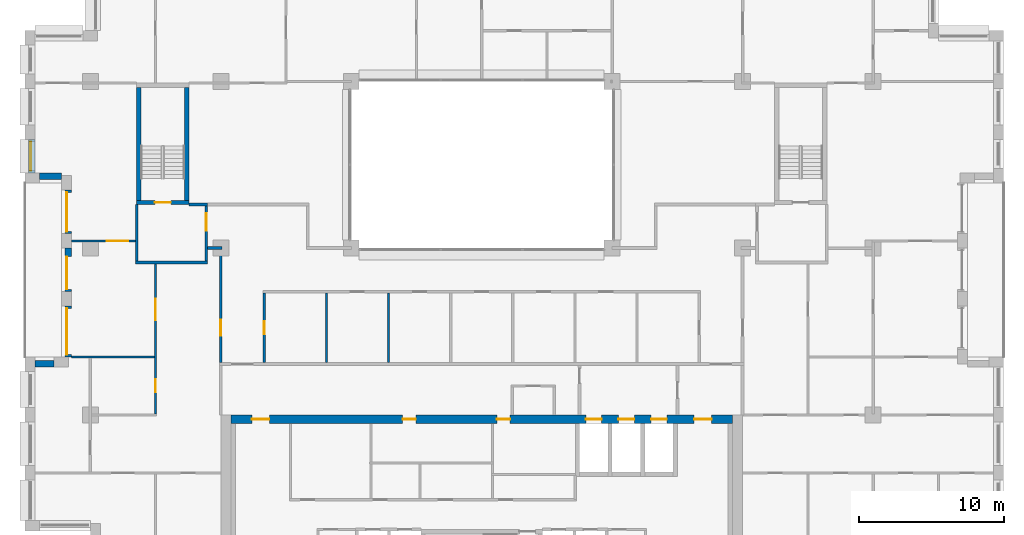
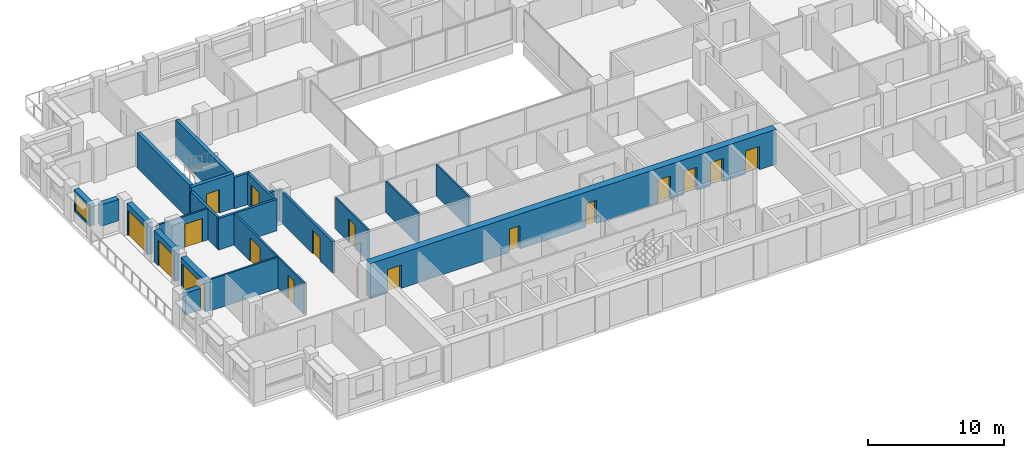
# One storey, part 9 of 15: 22 walls, 17 doors, 1 window, 18 openings.
"""IFC4 building model written with IfcOpenShell, lengths in metres."""

from ifc_helpers import new_model, si_unit, direction, frame, frame_2d, origin, place, context, subcontext, project, spatial, rectangle, extrude, material, layer, layer_set, type_object, element, fill, save


model = new_model("IFC4")

# Units and contexts
model_context = context("Model", 3, precision=1e-05, world=origin(), true_north=direction((0.0, 1.0)))
body_context = subcontext(model_context, "Body", "Model", "MODEL_VIEW")
ifc_project = project(units=[si_unit("LENGTHUNIT", "METRE"), si_unit("AREAUNIT", "SQUARE_METRE"), si_unit("VOLUMEUNIT", "CUBIC_METRE"), si_unit("PLANEANGLEUNIT", "RADIAN"), si_unit("MASSUNIT", "GRAM", prefix="KILO")], contexts=[model_context])

# Site, building, storey
site_placement = place(None, origin())
site = spatial("IfcSite", under=ifc_project, at=site_placement, CompositionType="ELEMENT")
building_placement = place(site_placement, origin())
building = spatial("IfcBuilding", under=site, at=building_placement, Name="Brigalow Station Residences", CompositionType="ELEMENT")
storey_placement = place(building_placement, frame((0.0, 0.0, 175.949951171875)))
storey = spatial("IfcBuildingStorey", under=building, at=storey_placement, Name="L51", CompositionType="ELEMENT", Elevation=175.949951171875)

# Wall, opening, window
ifc_material_1 = material(Name="Clay brick masonry", Category="masonry")
ifc_layer_1 = layer(ifc_material_1, 0.449951171875)
ifc_layer_set_1 = layer_set([ifc_layer_1], Name="BRICK INFILL WALL 450")
wall_type_1 = type_object("IfcWallType", Name="BRICK INFILL WALL 450", PredefinedType="SOLIDWALL", material=ifc_layer_set_1)
wall_1_placement = place(storey_placement, frame((4.97509765625, 31.5, 0.900146484375), z_axis=(0.0, 0.0, 1.0), x_axis=(0.0, -1.0, 0.0)))
wall_1 = element("IfcWall", 1, at=wall_1_placement, inside=storey, type_object=wall_type_1, Name="L51/ewall/W-L51-39", PredefinedType="SOLIDWALL", context=body_context, shape_type="SweptSolid", body=[
    extrude(rectangle(XDim=2.300048828125, YDim=0.449951171875, at=frame_2d((1.14990234375, 0.0))), origin(), (0.0, 0.0, 1.0), 1.929931640625),
])
opening_1_placement = place(wall_1_placement, frame((0.14990234375, 0.0, 0.14990234375)))
opening_1 = element("IfcOpeningElement", 2, at=opening_1_placement, cuts=wall_1, Name="Opening WT-7", PredefinedType="OPENING", context=body_context, shape_type="SweptSolid", body=[
    extrude(rectangle(XDim=2.0, YDim=1.5, at=frame_2d((1.0, 0.75))), frame((0.0, 0.23486328125, 0.0), z_axis=(0.0, -1.0, 0.0), x_axis=(1.0, 0.0, 0.0)), (0.0, 0.0, 1.0), 0.469970703125),
])
ifc_material_2 = material(Name="Anodised aluminium frame with double glazing", Category="aluminium")
window_type = type_object("IfcWindowType", Name="WINDOW 2000x1500", PartitioningType="SINGLE_PANEL", PredefinedType="WINDOW", material=ifc_material_2)
window_placement = place(opening_1_placement, origin())
window = element("IfcWindow", 3, at=window_placement, inside=storey, type_object=window_type, Name="L51/window/W-L51-39", OverallHeight=1.5, OverallWidth=2.0, PartitioningType="SINGLE_PANEL", PredefinedType="WINDOW", context=body_context, shape_type="SweptSolid", body=[
    extrude(rectangle(XDim=2.0, YDim=1.5, at=frame_2d((1.0, 0.75))), frame((0.0, -0.06494140625, 0.0), z_axis=(0.0, -1.0, 0.0), x_axis=(1.0, 0.0, 0.0)), (0.0, 0.0, 1.0), 0.06005859375),
])
fill(opening_1, window)

# Wall
wall_2_placement = place(storey_placement, frame((5.5, 28.97509765625, 0.900146484375), z_axis=(0.0, 0.0, 1.0), x_axis=(1.0, 0.0, 0.0)))
element("IfcWall", 4, at=wall_2_placement, inside=storey, type_object=wall_type_1, Name="L51/ewall/W-L51-40", PredefinedType="SOLIDWALL", context=body_context, shape_type="SweptSolid", body=[
    extrude(rectangle(XDim=1.5, YDim=0.449951171875, at=frame_2d((0.75, 0.0))), origin(), (0.0, 0.0, 1.0), 1.929931640625),
])

# Wall, opening, door
wall_3_placement = place(storey_placement, frame((7.47509765625, 28.0, 0.0), z_axis=(0.0, 0.0, 1.0), x_axis=(0.0, -1.0, 0.0)))
wall_3 = element("IfcWall", 5, at=wall_3_placement, inside=storey, type_object=wall_type_1, Name="L51/ewall/W-L51-41", PredefinedType="SOLIDWALL", context=body_context, shape_type="SweptSolid", body=[
    extrude(rectangle(XDim=3.0, YDim=0.449951171875, at=frame_2d((1.5, 0.0))), origin(), (0.0, 0.0, 1.0), 2.830078125),
])
opening_2_placement = place(wall_3_placement, frame((0.14990234375, 0.0, 0.0)))
opening_2 = element("IfcOpeningElement", 6, at=opening_2_placement, cuts=wall_3, Name="Opening D-B2700", PredefinedType="OPENING", context=body_context, shape_type="SweptSolid", body=[
    extrude(rectangle(XDim=2.699951171875, YDim=2.300048828125, at=frame_2d((1.35009765625, 1.14990234375))), frame((0.0, 0.23486328125, 0.0), z_axis=(0.0, -1.0, 0.0), x_axis=(1.0, 0.0, 0.0)), (0.0, 0.0, 1.0), 0.469970703125),
])
ifc_material_3 = material(Name="Anodised aluminium frame with double glazing", Category="aluminium")
door_type_1 = type_object("IfcDoorType", Name="BALCONY SLIDING DOOR 2700x2300", OperationType="SLIDING_TO_LEFT", PredefinedType="DOOR", material=ifc_material_3)
door_1_placement = place(opening_2_placement, origin())
door_1 = element("IfcDoor", 7, at=door_1_placement, inside=storey, type_object=door_type_1, Name="L51/balcony-door/W-L51-41", OperationType="SLIDING_TO_LEFT", OverallHeight=2.300048828125, OverallWidth=2.699951171875, PredefinedType="DOOR", context=body_context, shape_type="SweptSolid", body=[
    extrude(rectangle(XDim=2.699951171875, YDim=2.300048828125, at=frame_2d((1.35009765625, 1.14990234375))), frame((0.0, -0.06982421875, 0.0), z_axis=(0.0, -1.0, 0.0), x_axis=(1.0, 0.0, 0.0)), (0.0, 0.0, 1.0), 0.050048828125),
])
fill(opening_2, door_1)

wall_4_placement = place(storey_placement, frame((7.47509765625, 24.0, 0.0), z_axis=(0.0, 0.0, 1.0), x_axis=(0.0, -1.0, 0.0)))
wall_4 = element("IfcWall", 8, at=wall_4_placement, inside=storey, type_object=wall_type_1, Name="L51/ewall/W-L51-42", PredefinedType="SOLIDWALL", context=body_context, shape_type="SweptSolid", body=[
    extrude(rectangle(XDim=3.0, YDim=0.449951171875, at=frame_2d((1.5, 0.0))), origin(), (0.0, 0.0, 1.0), 2.830078125),
])
opening_3_placement = place(wall_4_placement, frame((0.5849609375, 0.0, 0.0)))
opening_3 = element("IfcOpeningElement", 9, at=opening_3_placement, cuts=wall_4, Name="Opening D-B2250", PredefinedType="OPENING", context=body_context, shape_type="SweptSolid", body=[
    extrude(rectangle(XDim=2.25, YDim=2.300048828125, at=frame_2d((1.125, 1.14990234375))), frame((0.0, 0.23486328125, 0.0), z_axis=(0.0, -1.0, 0.0), x_axis=(1.0, 0.0, 0.0)), (0.0, 0.0, 1.0), 0.469970703125),
])
ifc_material_4 = material(Name="Anodised aluminium frame with double glazing", Category="aluminium")
door_type_2 = type_object("IfcDoorType", Name="BALCONY SLIDING DOOR 2250x2300", OperationType="SLIDING_TO_LEFT", PredefinedType="DOOR", material=ifc_material_4)
door_2_placement = place(opening_3_placement, origin())
door_2 = element("IfcDoor", 10, at=door_2_placement, inside=storey, type_object=door_type_2, Name="L51/balcony-door/W-L51-42", OperationType="SLIDING_TO_LEFT", OverallHeight=2.300048828125, OverallWidth=2.25, PredefinedType="DOOR", context=body_context, shape_type="SweptSolid", body=[
    extrude(rectangle(XDim=2.25, YDim=2.300048828125, at=frame_2d((1.125, 1.14990234375))), frame((0.0, -0.06982421875, 0.0), z_axis=(0.0, -1.0, 0.0), x_axis=(1.0, 0.0, 0.0)), (0.0, 0.0, 1.0), 0.050048828125),
])
fill(opening_3, door_2)

wall_5_placement = place(storey_placement, frame((7.47509765625, 20.0, 0.0), z_axis=(0.0, 0.0, 1.0), x_axis=(0.0, -1.0, 0.0)))
wall_5 = element("IfcWall", 11, at=wall_5_placement, inside=storey, type_object=wall_type_1, Name="L51/ewall/W-L51-43", PredefinedType="SOLIDWALL", context=body_context, shape_type="SweptSolid", body=[
    extrude(rectangle(XDim=3.5, YDim=0.449951171875, at=frame_2d((1.75, 0.0))), origin(), (0.0, 0.0, 1.0), 2.830078125),
])
opening_4_placement = place(wall_5_placement, frame((0.14990234375, 0.0, 0.0)))
opening_4 = element("IfcOpeningElement", 12, at=opening_4_placement, cuts=wall_5, Name="Opening D-B3200", PredefinedType="OPENING", context=body_context, shape_type="SweptSolid", body=[
    extrude(rectangle(XDim=3.199951171875, YDim=2.300048828125, at=frame_2d((1.60009765625, 1.14990234375))), frame((0.0, 0.23486328125, 0.0), z_axis=(0.0, -1.0, 0.0), x_axis=(1.0, 0.0, 0.0)), (0.0, 0.0, 1.0), 0.469970703125),
])
ifc_material_5 = material(Name="Anodised aluminium frame with double glazing", Category="aluminium")
door_type_3 = type_object("IfcDoorType", Name="BALCONY SLIDING DOOR 3200x2300", OperationType="SLIDING_TO_LEFT", PredefinedType="DOOR", material=ifc_material_5)
door_3_placement = place(opening_4_placement, origin())
door_3 = element("IfcDoor", 13, at=door_3_placement, inside=storey, type_object=door_type_3, Name="L51/balcony-door/W-L51-43", OperationType="SLIDING_TO_LEFT", OverallHeight=2.300048828125, OverallWidth=3.199951171875, PredefinedType="DOOR", context=body_context, shape_type="SweptSolid", body=[
    extrude(rectangle(XDim=3.199951171875, YDim=2.300048828125, at=frame_2d((1.60009765625, 1.14990234375))), frame((0.0, -0.06982421875, 0.0), z_axis=(0.0, -1.0, 0.0), x_axis=(1.0, 0.0, 0.0)), (0.0, 0.0, 1.0), 0.050048828125),
])
fill(opening_4, door_3)

# Wall
wall_6_placement = place(storey_placement, frame((6.5, 16.02490234375, 0.900146484375), z_axis=(0.0, 0.0, 1.0), x_axis=(-1.0, 0.0, 0.0)))
element("IfcWall", 14, at=wall_6_placement, inside=storey, type_object=wall_type_1, Name="L51/ewall/W-L51-44", PredefinedType="SOLIDWALL", context=body_context, shape_type="SweptSolid", body=[
    extrude(rectangle(XDim=1.300048828125, YDim=0.449951171875, at=frame_2d((0.64990234375, 0.0))), origin(), (0.0, 0.0, 1.0), 1.929931640625),
])

# Wall, opening, door
ifc_material_6 = material(Name="Concrete C65", Category="concrete")
ifc_layer_2 = layer(ifc_material_6, 0.300048828125)
ifc_layer_set_2 = layer_set([ifc_layer_2], Name="CORE SHEAR WALL 300 C65")
wall_type_2 = type_object("IfcWallType", Name="CORE SHEAR WALL 300 C65", PredefinedType="SHEAR", material=ifc_layer_set_2)
wall_7_placement = place(storey_placement, frame((12.199951171875, 27.14990234375, 0.0), z_axis=(0.0, 0.0, 1.0), x_axis=(1.0, 0.0, 0.0)))
wall_7 = element("IfcWall", 15, at=wall_7_placement, inside=storey, type_object=wall_type_2, Name="CORE WALL ST-S1-S L51", PredefinedType="SHEAR", context=body_context, shape_type="SweptSolid", body=[
    extrude(rectangle(XDim=3.60009765625, YDim=0.300048828125, at=frame_2d((1.800048828125, 0.0))), origin(), (0.0, 0.0, 1.0), 3.150146484375),
])
opening_5_placement = place(wall_7_placement, frame((1.25, 0.0, 0.0)))
opening_5 = element("IfcOpeningElement", 16, at=opening_5_placement, cuts=wall_7, Name="Opening D-5015", PredefinedType="OPENING", context=body_context, shape_type="SweptSolid", body=[
    extrude(rectangle(XDim=1.10009765625, YDim=2.10009765625, at=frame_2d((0.550048828125, 1.050048828125))), frame((0.0, 0.16015625, 0.0), z_axis=(0.0, -1.0, 0.0), x_axis=(1.0, 0.0, 0.0)), (0.0, 0.0, 1.0), 0.320068359375),
])
ifc_material_7 = material(Name="Steel fire door leaf in steel frame", Category="steel")
door_type_4 = type_object("IfcDoorType", Name="STAIR DOOR 1100 x 2100 FD60S", OperationType="SINGLE_SWING_LEFT", PredefinedType="DOOR", material=ifc_material_7)
door_4_placement = place(opening_5_placement, origin())
door_4 = element("IfcDoor", 17, at=door_4_placement, inside=storey, type_object=door_type_4, Name="D-5015", OperationType="SINGLE_SWING_LEFT", OverallHeight=2.10009765625, OverallWidth=1.10009765625, PredefinedType="DOOR", context=body_context, shape_type="SweptSolid", body=[
    extrude(rectangle(XDim=1.10009765625, YDim=2.10009765625, at=frame_2d((0.550048828125, 1.050048828125))), frame((0.0, 0.02490234375, 0.0), z_axis=(0.0, -1.0, 0.0), x_axis=(1.0, 0.0, 0.0)), (0.0, 0.0, 1.0), 0.050048828125),
])
fill(opening_5, door_4)

# Walls
for number, where, z_axis, x_axis, name in (
    (18, (12.35009765625, 27.300048828125, 0.0), (0.0, 0.0, 1.0), (0.0, 1.0, 0.0), "CORE WALL ST-S1-W L51"),
    (19, (15.64990234375, 27.300048828125, 0.0), (0.0, 0.0, 1.0), (0.0, 1.0, 0.0), "CORE WALL ST-S1-E L51"),
):
    element("IfcWall", number, at=place(storey_placement, frame(where, z_axis=z_axis, x_axis=x_axis)), inside=storey, type_object=wall_type_2, Name=name, PredefinedType="SHEAR", context=body_context, shape_type="SweptSolid", body=[
        extrude(rectangle(XDim=7.800048828125, YDim=0.300048828125, at=frame_2d((3.89990234375, 0.0))), origin(), (0.0, 0.0, 1.0), 3.150146484375),
    ])

# Wall, openings, doors
ifc_material_8 = material(Name="Concrete C65", Category="concrete")
ifc_layer_3 = layer(ifc_material_8, 0.60009765625)
ifc_layer_set_3 = layer_set([ifc_layer_3], Name="CORE SHEAR WALL 600 C65")
wall_type_3 = type_object("IfcWallType", Name="CORE SHEAR WALL 600 C65", PredefinedType="SHEAR", material=ifc_layer_set_3)
wall_8_placement = place(storey_placement, frame((18.699951171875, 12.199951171875, 0.0), z_axis=(0.0, 0.0, 1.0), x_axis=(1.0, 0.0, 0.0)))
wall_8 = element("IfcWall", 20, at=wall_8_placement, inside=storey, type_object=wall_type_3, Name="CORE WALL OUT-N L51", PredefinedType="SHEAR", context=body_context, shape_type="SweptSolid", body=[
    extrude(rectangle(XDim=34.60009765625, YDim=0.60009765625, at=frame_2d((17.300048828125, 0.0))), origin(), (0.0, 0.0, 1.0), 3.150146484375),
])
opening_6_placement = place(wall_8_placement, frame((24.47509765625, 0.0, 0.0)))
opening_6 = element("IfcOpeningElement", 21, at=opening_6_placement, cuts=wall_8, Name="Opening LD-LF1", PredefinedType="OPENING", context=body_context, shape_type="SweptSolid", body=[
    extrude(rectangle(XDim=1.10009765625, YDim=2.10009765625, at=frame_2d((0.550048828125, 1.050048828125))), frame((0.0, 0.31005859375, 0.0), z_axis=(0.0, -1.0, 0.0), x_axis=(1.0, 0.0, 0.0)), (0.0, 0.0, 1.0), 0.6201171875),
])
opening_7_placement = place(wall_8_placement, frame((26.72509765625, 0.0, 0.0)))
opening_7 = element("IfcOpeningElement", 22, at=opening_7_placement, cuts=wall_8, Name="Opening LD-LF2", PredefinedType="OPENING", context=body_context, shape_type="SweptSolid", body=[
    extrude(rectangle(XDim=1.10009765625, YDim=2.10009765625, at=frame_2d((0.550048828125, 1.050048828125))), frame((0.0, 0.31005859375, 0.0), z_axis=(0.0, -1.0, 0.0), x_axis=(1.0, 0.0, 0.0)), (0.0, 0.0, 1.0), 0.6201171875),
])
opening_8_placement = place(wall_8_placement, frame((28.97509765625, 0.0, 0.0)))
opening_8 = element("IfcOpeningElement", 23, at=opening_8_placement, cuts=wall_8, Name="Opening LD-LG1", PredefinedType="OPENING", context=body_context, shape_type="SweptSolid", body=[
    extrude(rectangle(XDim=1.10009765625, YDim=2.10009765625, at=frame_2d((0.550048828125, 1.050048828125))), frame((0.0, 0.31005859375, 0.0), z_axis=(0.0, -1.0, 0.0), x_axis=(1.0, 0.0, 0.0)), (0.0, 0.0, 1.0), 0.6201171875),
])
opening_9_placement = place(wall_8_placement, frame((11.85009765625, 0.0, 0.0)))
opening_9 = element("IfcOpeningElement", 24, at=opening_9_placement, cuts=wall_8, Name="Opening D-5122", PredefinedType="OPENING", context=body_context, shape_type="SweptSolid", body=[
    extrude(rectangle(XDim=0.89990234375, YDim=2.10009765625, at=frame_2d((0.449951171875, 1.050048828125))), frame((0.0, 0.31005859375, 0.0), z_axis=(0.0, -1.0, 0.0), x_axis=(1.0, 0.0, 0.0)), (0.0, 0.0, 1.0), 0.6201171875),
])
opening_10_placement = place(wall_8_placement, frame((18.35009765625, 0.0, 0.0)))
opening_10 = element("IfcOpeningElement", 25, at=opening_10_placement, cuts=wall_8, Name="Opening D-5119", PredefinedType="OPENING", context=body_context, shape_type="SweptSolid", body=[
    extrude(rectangle(XDim=0.89990234375, YDim=2.10009765625, at=frame_2d((0.449951171875, 1.050048828125))), frame((0.0, 0.31005859375, 0.0), z_axis=(0.0, -1.0, 0.0), x_axis=(1.0, 0.0, 0.0)), (0.0, 0.0, 1.0), 0.6201171875),
])
opening_11_placement = place(wall_8_placement, frame((1.449951171875, 0.0, 0.0)))
opening_11 = element("IfcOpeningElement", 26, at=opening_11_placement, cuts=wall_8, Name="Opening D-5011", PredefinedType="OPENING", context=body_context, shape_type="SweptSolid", body=[
    extrude(rectangle(XDim=1.199951171875, YDim=2.10009765625, at=frame_2d((0.60009765625, 1.050048828125))), frame((0.0, 0.31005859375, 0.0), z_axis=(0.0, -1.0, 0.0), x_axis=(1.0, 0.0, 0.0)), (0.0, 0.0, 1.0), 0.6201171875),
])
opening_12_placement = place(wall_8_placement, frame((31.949951171875, 0.0, 0.0)))
opening_12 = element("IfcOpeningElement", 27, at=opening_12_placement, cuts=wall_8, Name="Opening D-5012", PredefinedType="OPENING", context=body_context, shape_type="SweptSolid", body=[
    extrude(rectangle(XDim=1.199951171875, YDim=2.10009765625, at=frame_2d((0.60009765625, 1.050048828125))), frame((0.0, 0.31005859375, 0.0), z_axis=(0.0, -1.0, 0.0), x_axis=(1.0, 0.0, 0.0)), (0.0, 0.0, 1.0), 0.6201171875),
])
ifc_material_9 = material(Name="Steel fire door leaf in steel frame", Category="steel")
door_type_5 = type_object("IfcDoorType", Name="CORE CORRIDOR DOOR 1200 x 2100 FD60S", OperationType="SINGLE_SWING_LEFT", PredefinedType="DOOR", material=ifc_material_9)
door_5_placement = place(opening_11_placement, frame((1.199951171875, 0.0, 0.0), z_axis=(0.0, 0.0, 1.0), x_axis=(-1.0, 0.0, 0.0)))
door_5 = element("IfcDoor", 28, at=door_5_placement, inside=storey, type_object=door_type_5, Name="D-5011", OperationType="SINGLE_SWING_LEFT", OverallHeight=2.10009765625, OverallWidth=1.199951171875, PredefinedType="DOOR", context=body_context, shape_type="SweptSolid", body=[
    extrude(rectangle(XDim=1.199951171875, YDim=2.10009765625, at=frame_2d((0.60009765625, 1.050048828125))), frame((0.0, 0.02490234375, 0.0), z_axis=(0.0, -1.0, 0.0), x_axis=(1.0, 0.0, 0.0)), (0.0, 0.0, 1.0), 0.050048828125),
])
fill(opening_11, door_5)
door_6_placement = place(opening_12_placement, frame((1.199951171875, 0.0, 0.0), z_axis=(0.0, 0.0, 1.0), x_axis=(-1.0, 0.0, 0.0)))
door_6 = element("IfcDoor", 29, at=door_6_placement, inside=storey, type_object=door_type_5, Name="D-5012", OperationType="SINGLE_SWING_LEFT", OverallHeight=2.10009765625, OverallWidth=1.199951171875, PredefinedType="DOOR", context=body_context, shape_type="SweptSolid", body=[
    extrude(rectangle(XDim=1.199951171875, YDim=2.10009765625, at=frame_2d((0.60009765625, 1.050048828125))), frame((0.0, 0.02490234375, 0.0), z_axis=(0.0, -1.0, 0.0), x_axis=(1.0, 0.0, 0.0)), (0.0, 0.0, 1.0), 0.050048828125),
])
fill(opening_12, door_6)
ifc_material_10 = material(Name="Stainless steel sliding door leaves", Category="steel")
door_type_6 = type_object("IfcDoorType", Name="LIFT LANDING DOOR 1100 x 2100", OperationType="DOUBLE_DOOR_SLIDING", PredefinedType="DOOR", material=ifc_material_10)
door_7_placement = place(opening_6_placement, origin())
door_7 = element("IfcDoor", 30, at=door_7_placement, inside=storey, type_object=door_type_6, Name="LANDING DOOR LF1", OperationType="DOUBLE_DOOR_SLIDING", OverallHeight=2.10009765625, OverallWidth=1.10009765625, PredefinedType="DOOR", context=body_context, shape_type="SweptSolid", body=[
    extrude(rectangle(XDim=1.10009765625, YDim=2.10009765625, at=frame_2d((0.550048828125, 1.050048828125))), frame((0.0, 0.02490234375, 0.0), z_axis=(0.0, -1.0, 0.0), x_axis=(1.0, 0.0, 0.0)), (0.0, 0.0, 1.0), 0.050048828125),
])
fill(opening_6, door_7)
door_8_placement = place(opening_7_placement, origin())
door_8 = element("IfcDoor", 31, at=door_8_placement, inside=storey, type_object=door_type_6, Name="LANDING DOOR LF2", OperationType="DOUBLE_DOOR_SLIDING", OverallHeight=2.10009765625, OverallWidth=1.10009765625, PredefinedType="DOOR", context=body_context, shape_type="SweptSolid", body=[
    extrude(rectangle(XDim=1.10009765625, YDim=2.10009765625, at=frame_2d((0.550048828125, 1.050048828125))), frame((0.0, 0.02490234375, 0.0), z_axis=(0.0, -1.0, 0.0), x_axis=(1.0, 0.0, 0.0)), (0.0, 0.0, 1.0), 0.050048828125),
])
fill(opening_7, door_8)
door_9_placement = place(opening_8_placement, origin())
door_9 = element("IfcDoor", 32, at=door_9_placement, inside=storey, type_object=door_type_6, Name="LANDING DOOR LG1", OperationType="DOUBLE_DOOR_SLIDING", OverallHeight=2.10009765625, OverallWidth=1.10009765625, PredefinedType="DOOR", context=body_context, shape_type="SweptSolid", body=[
    extrude(rectangle(XDim=1.10009765625, YDim=2.10009765625, at=frame_2d((0.550048828125, 1.050048828125))), frame((0.0, 0.02490234375, 0.0), z_axis=(0.0, -1.0, 0.0), x_axis=(1.0, 0.0, 0.0)), (0.0, 0.0, 1.0), 0.050048828125),
])
fill(opening_8, door_9)
ifc_material_11 = material(Name="Steel door leaf in steel frame", Category="steel")
door_type_7 = type_object("IfcDoorType", Name="SERVICE ROOM DOOR 900 x 2100 FD60", OperationType="SINGLE_SWING_LEFT", PredefinedType="DOOR", material=ifc_material_11)
door_10_placement = place(opening_9_placement, frame((0.89990234375, 0.0, 0.0), z_axis=(0.0, 0.0, 1.0), x_axis=(-1.0, 0.0, 0.0)))
door_10 = element("IfcDoor", 33, at=door_10_placement, inside=storey, type_object=door_type_7, Name="D-5122", OperationType="SINGLE_SWING_RIGHT", OverallHeight=2.10009765625, OverallWidth=0.89990234375, PredefinedType="DOOR", context=body_context, shape_type="SweptSolid", body=[
    extrude(rectangle(XDim=0.89990234375, YDim=2.10009765625, at=frame_2d((0.449951171875, 1.050048828125))), frame((0.0, 0.02490234375, 0.0), z_axis=(0.0, -1.0, 0.0), x_axis=(1.0, 0.0, 0.0)), (0.0, 0.0, 1.0), 0.050048828125),
])
fill(opening_9, door_10)
door_11_placement = place(opening_10_placement, frame((0.89990234375, 0.0, 0.0), z_axis=(0.0, 0.0, 1.0), x_axis=(-1.0, 0.0, 0.0)))
door_11 = element("IfcDoor", 34, at=door_11_placement, inside=storey, type_object=door_type_7, Name="D-5119", OperationType="SINGLE_SWING_RIGHT", OverallHeight=2.10009765625, OverallWidth=0.89990234375, PredefinedType="DOOR", context=body_context, shape_type="SweptSolid", body=[
    extrude(rectangle(XDim=0.89990234375, YDim=2.10009765625, at=frame_2d((0.449951171875, 1.050048828125))), frame((0.0, 0.02490234375, 0.0), z_axis=(0.0, -1.0, 0.0), x_axis=(1.0, 0.0, 0.0)), (0.0, 0.0, 1.0), 0.050048828125),
])
fill(opening_10, door_11)

# Walls
ifc_material_12 = material(Name="Concrete blockwork", Category="masonry")
ifc_layer_4 = layer(ifc_material_12, 0.199951171875)
ifc_layer_set_4 = layer_set([ifc_layer_4], Name="FIRE RATED CORE PARTITION 200")
wall_type_4 = type_object("IfcWallType", Name="FIRE RATED CORE PARTITION 200", PredefinedType="PARTITIONING", material=ifc_layer_set_4)
wall_9_placement = place(storey_placement, frame((12.10009765625, 23.0, 0.0), z_axis=(0.0, 0.0, 1.0), x_axis=(1.0, 0.0, 0.0)))
element("IfcWall", 35, at=wall_9_placement, inside=storey, type_object=wall_type_4, Name="PW-5023", PredefinedType="PARTITIONING", context=body_context, shape_type="SweptSolid", body=[
    extrude(rectangle(XDim=5.0, YDim=0.199951171875, at=frame_2d((2.5, 0.0))), origin(), (0.0, 0.0, 1.0), 2.830078125),
])
wall_10_placement = place(storey_placement, frame((15.800048828125, 27.0, 0.0), z_axis=(0.0, 0.0, 1.0), x_axis=(1.0, 0.0, 0.0)))
element("IfcWall", 36, at=wall_10_placement, inside=storey, type_object=wall_type_4, Name="PW-5025", PredefinedType="PARTITIONING", context=body_context, shape_type="SweptSolid", body=[
    extrude(rectangle(XDim=1.300048828125, YDim=0.199951171875, at=frame_2d((0.64990234375, 0.0))), origin(), (0.0, 0.0, 1.0), 2.830078125),
])
wall_11_placement = place(storey_placement, frame((12.199951171875, 23.10009765625, 0.0), z_axis=(0.0, 0.0, 1.0), x_axis=(0.0, 1.0, 0.0)))
element("IfcWall", 37, at=wall_11_placement, inside=storey, type_object=wall_type_4, Name="PW-5034", PredefinedType="PARTITIONING", context=body_context, shape_type="SweptSolid", body=[
    extrude(rectangle(XDim=3.89990234375, YDim=0.199951171875, at=frame_2d((1.949951171875, 0.0))), origin(), (0.0, 0.0, 1.0), 2.830078125),
])

# Wall, opening, door
wall_12_placement = place(storey_placement, frame((17.0, 23.10009765625, 0.0), z_axis=(0.0, 0.0, 1.0), x_axis=(0.0, 1.0, 0.0)))
wall_12 = element("IfcWall", 38, at=wall_12_placement, inside=storey, type_object=wall_type_4, Name="PW-5035", PredefinedType="PARTITIONING", context=body_context, shape_type="SweptSolid", body=[
    extrude(rectangle(XDim=3.7998046875, YDim=0.199951171875, at=frame_2d((1.89990234375, 0.0))), origin(), (0.0, 0.0, 1.0), 2.830078125),
])
opening_13_placement = place(wall_12_placement, frame((2.10009765625, 0.0, 0.0)))
opening_13 = element("IfcOpeningElement", 39, at=opening_13_placement, cuts=wall_12, Name="Opening D-5016", PredefinedType="OPENING", context=body_context, shape_type="SweptSolid", body=[
    extrude(rectangle(XDim=1.199951171875, YDim=2.10009765625, at=frame_2d((0.60009765625, 1.050048828125))), frame((0.0, 0.10986328125, 0.0), z_axis=(0.0, -1.0, 0.0), x_axis=(1.0, 0.0, 0.0)), (0.0, 0.0, 1.0), 0.219970703125),
])
ifc_material_13 = material(Name="Steel fire door leaf in steel frame", Category="steel")
door_type_8 = type_object("IfcDoorType", Name="STAIR LOBBY DOOR 1200 x 2100 FD60S", OperationType="SINGLE_SWING_LEFT", PredefinedType="DOOR", material=ifc_material_13)
door_12_placement = place(opening_13_placement, origin())
door_12 = element("IfcDoor", 40, at=door_12_placement, inside=storey, type_object=door_type_8, Name="D-5016", OperationType="SINGLE_SWING_RIGHT", OverallHeight=2.10009765625, OverallWidth=1.199951171875, PredefinedType="DOOR", context=body_context, shape_type="SweptSolid", body=[
    extrude(rectangle(XDim=1.199951171875, YDim=2.10009765625, at=frame_2d((0.60009765625, 1.050048828125))), frame((0.0, 0.02490234375, 0.0), z_axis=(0.0, -1.0, 0.0), x_axis=(1.0, 0.0, 0.0)), (0.0, 0.0, 1.0), 0.050048828125),
])
fill(opening_13, door_12)

# Wall
ifc_material_14 = material(Name="Plasterboard on steel stud partition", Category="steel")
ifc_layer_5 = layer(ifc_material_14, 0.14990234375)
ifc_layer_set_5 = layer_set([ifc_layer_5], Name="FLAT PARTITION 150")
wall_type_5 = type_object("IfcWallType", Name="FLAT PARTITION 150", PredefinedType="PARTITIONING", material=ifc_layer_set_5)
wall_13_placement = place(storey_placement, frame((7.699951171875, 16.5, 0.0), z_axis=(0.0, 0.0, 1.0), x_axis=(1.0, 0.0, 0.0)))
element("IfcWall", 41, at=wall_13_placement, inside=storey, type_object=wall_type_5, Name="PW-3E11", PredefinedType="PARTITIONING", context=body_context, shape_type="SweptSolid", body=[
    extrude(rectangle(XDim=5.72509765625, YDim=0.14990234375, at=frame_2d((2.862548828125, 0.0))), origin(), (0.0, 0.0, 1.0), 2.830078125),
])

# Wall, opening, door
wall_14_placement = place(storey_placement, frame((7.699951171875, 24.5, 0.0), z_axis=(0.0, 0.0, 1.0), x_axis=(1.0, 0.0, 0.0)))
wall_14 = element("IfcWall", 42, at=wall_14_placement, inside=storey, type_object=wall_type_5, Name="PW-3E15", PredefinedType="PARTITIONING", context=body_context, shape_type="SweptSolid", body=[
    extrude(rectangle(XDim=4.400146484375, YDim=0.14990234375, at=frame_2d((2.2001953125, 0.0))), origin(), (0.0, 0.0, 1.0), 2.830078125),
])
opening_14_placement = place(wall_14_placement, frame((2.425048828125, 0.0, 0.0)))
opening_14 = element("IfcOpeningElement", 43, at=opening_14_placement, cuts=wall_14, Name="Opening D-3E09", PredefinedType="OPENING", context=body_context, shape_type="SweptSolid", body=[
    extrude(rectangle(XDim=1.5, YDim=2.10009765625, at=frame_2d((0.75, 1.050048828125))), frame((0.0, 0.0849609375, 0.0), z_axis=(0.0, -1.0, 0.0), x_axis=(1.0, 0.0, 0.0)), (0.0, 0.0, 1.0), 0.169921875),
])
ifc_material_15 = material(Name="Solid-core timber door leaf", Category="wood")
door_type_9 = type_object("IfcDoorType", Name="INTERNAL DOUBLE DOOR 1500 x 2100", OperationType="DOUBLE_DOOR_SINGLE_SWING", PredefinedType="DOOR", material=ifc_material_15)
door_13_placement = place(opening_14_placement, frame((1.5, 0.0, 0.0), z_axis=(0.0, 0.0, 1.0), x_axis=(-1.0, 0.0, 0.0)))
door_13 = element("IfcDoor", 44, at=door_13_placement, inside=storey, type_object=door_type_9, Name="D-3E09", OperationType="DOUBLE_DOOR_SINGLE_SWING", OverallHeight=2.10009765625, OverallWidth=1.5, PredefinedType="DOOR", context=body_context, shape_type="SweptSolid", body=[
    extrude(rectangle(XDim=1.5, YDim=2.10009765625, at=frame_2d((0.75, 1.050048828125))), frame((0.0, 0.02490234375, 0.0), z_axis=(0.0, -1.0, 0.0), x_axis=(1.0, 0.0, 0.0)), (0.0, 0.0, 1.0), 0.050048828125),
])
fill(opening_14, door_13)

wall_15_placement = place(storey_placement, frame((21.0, 16.10009765625, 0.0), z_axis=(0.0, 0.0, 1.0), x_axis=(0.0, 1.0, 0.0)))
wall_15 = element("IfcWall", 45, at=wall_15_placement, inside=storey, type_object=wall_type_5, Name="PW-3E31", PredefinedType="PARTITIONING", context=body_context, shape_type="SweptSolid", body=[
    extrude(rectangle(XDim=4.824951171875, YDim=0.14990234375, at=frame_2d((2.41259765625, 0.0))), origin(), (0.0, 0.0, 1.0), 2.830078125),
])
opening_15_placement = place(wall_15_placement, frame((1.949951171875, 0.0, 0.0)))
opening_15 = element("IfcOpeningElement", 46, at=opening_15_placement, cuts=wall_15, Name="Opening D-3E35", PredefinedType="OPENING", context=body_context, shape_type="SweptSolid", body=[
    extrude(rectangle(XDim=0.89990234375, YDim=2.10009765625, at=frame_2d((0.449951171875, 1.050048828125))), frame((0.0, 0.0849609375, 0.0), z_axis=(0.0, -1.0, 0.0), x_axis=(1.0, 0.0, 0.0)), (0.0, 0.0, 1.0), 0.169921875),
])
ifc_material_16 = material(Name="Solid-core timber door leaf", Category="wood")
door_type_10 = type_object("IfcDoorType", Name="INTERNAL DOOR 900 x 2100", OperationType="SINGLE_SWING_LEFT", PredefinedType="DOOR", material=ifc_material_16)
door_14_placement = place(opening_15_placement, frame((0.89990234375, 0.0, 0.0), z_axis=(0.0, 0.0, 1.0), x_axis=(-1.0, 0.0, 0.0)))
door_14 = element("IfcDoor", 47, at=door_14_placement, inside=storey, type_object=door_type_10, Name="D-3E35", OperationType="SINGLE_SWING_RIGHT", OverallHeight=2.10009765625, OverallWidth=0.89990234375, PredefinedType="DOOR", context=body_context, shape_type="SweptSolid", body=[
    extrude(rectangle(XDim=0.89990234375, YDim=2.10009765625, at=frame_2d((0.449951171875, 1.050048828125))), frame((0.0, 0.02490234375, 0.0), z_axis=(0.0, -1.0, 0.0), x_axis=(1.0, 0.0, 0.0)), (0.0, 0.0, 1.0), 0.050048828125),
])
fill(opening_15, door_14)

# Wall, openings, doors
wall_16_placement = place(storey_placement, frame((13.5, 12.574951171875, 0.0), z_axis=(0.0, 0.0, 1.0), x_axis=(0.0, 1.0, 0.0)))
wall_16 = element("IfcWall", 48, at=wall_16_placement, inside=storey, type_object=wall_type_5, Name="PW-3E36", PredefinedType="PARTITIONING", context=body_context, shape_type="SweptSolid", body=[
    extrude(rectangle(XDim=10.324951171875, YDim=0.14990234375, at=frame_2d((5.16259765625, 0.0))), origin(), (0.0, 0.0, 1.0), 2.830078125),
])
opening_16_placement = place(wall_16_placement, frame((1.47509765625, 0.0, 0.0)))
opening_16 = element("IfcOpeningElement", 49, at=opening_16_placement, cuts=wall_16, Name="Opening D-3E06", PredefinedType="OPENING", context=body_context, shape_type="SweptSolid", body=[
    extrude(rectangle(XDim=0.89990234375, YDim=2.10009765625, at=frame_2d((0.449951171875, 1.050048828125))), frame((0.0, 0.0849609375, 0.0), z_axis=(0.0, -1.0, 0.0), x_axis=(1.0, 0.0, 0.0)), (0.0, 0.0, 1.0), 0.169921875),
])
opening_17_placement = place(wall_16_placement, frame((6.449951171875, 0.0, 0.0)))
opening_17 = element("IfcOpeningElement", 50, at=opening_17_placement, cuts=wall_16, Name="Opening D-3E08", PredefinedType="OPENING", context=body_context, shape_type="SweptSolid", body=[
    extrude(rectangle(XDim=1.5, YDim=2.10009765625, at=frame_2d((0.75, 1.050048828125))), frame((0.0, 0.0849609375, 0.0), z_axis=(0.0, -1.0, 0.0), x_axis=(1.0, 0.0, 0.0)), (0.0, 0.0, 1.0), 0.169921875),
])
door_15_placement = place(opening_16_placement, origin())
door_15 = element("IfcDoor", 51, at=door_15_placement, inside=storey, type_object=door_type_10, Name="D-3E06", OperationType="SINGLE_SWING_RIGHT", OverallHeight=2.10009765625, OverallWidth=0.89990234375, PredefinedType="DOOR", context=body_context, shape_type="SweptSolid", body=[
    extrude(rectangle(XDim=0.89990234375, YDim=2.10009765625, at=frame_2d((0.449951171875, 1.050048828125))), frame((0.0, 0.02490234375, 0.0), z_axis=(0.0, -1.0, 0.0), x_axis=(1.0, 0.0, 0.0)), (0.0, 0.0, 1.0), 0.050048828125),
])
fill(opening_16, door_15)
door_16_placement = place(opening_17_placement, origin())
door_16 = element("IfcDoor", 52, at=door_16_placement, inside=storey, type_object=door_type_9, Name="D-3E08", OperationType="DOUBLE_DOOR_SINGLE_SWING", OverallHeight=2.10009765625, OverallWidth=1.5, PredefinedType="DOOR", context=body_context, shape_type="SweptSolid", body=[
    extrude(rectangle(XDim=1.5, YDim=2.10009765625, at=frame_2d((0.75, 1.050048828125))), frame((0.0, 0.02490234375, 0.0), z_axis=(0.0, -1.0, 0.0), x_axis=(1.0, 0.0, 0.0)), (0.0, 0.0, 1.0), 0.050048828125),
])
fill(opening_17, door_16)

# Walls
for number, where, z_axis, x_axis, name in (
    (53, (25.285888671875, 16.10009765625, 0.0), (0.0, 0.0, 1.0), (0.0, 1.0, 0.0), "PW-3E51"),
    (54, (29.571044921875, 16.10009765625, 0.0), (0.0, 0.0, 1.0), (0.0, 1.0, 0.0), "PW-3E52"),
):
    element("IfcWall", number, at=place(storey_placement, frame(where, z_axis=z_axis, x_axis=x_axis)), inside=storey, type_object=wall_type_5, Name=name, PredefinedType="PARTITIONING", context=body_context, shape_type="SweptSolid", body=[
        extrude(rectangle(XDim=4.824951171875, YDim=0.14990234375, at=frame_2d((2.41259765625, 0.0))), origin(), (0.0, 0.0, 1.0), 2.830078125),
    ])
ifc_material_17 = material(Name="Plasterboard on steel stud partition", Category="steel")
ifc_layer_6 = layer(ifc_material_17, 0.199951171875)
ifc_layer_set_6 = layer_set([ifc_layer_6], Name="PARTY AND CORRIDOR WALL 200")
wall_type_6 = type_object("IfcWallType", Name="PARTY AND CORRIDOR WALL 200", PredefinedType="PARTITIONING", material=ifc_layer_set_6)
wall_17_placement = place(storey_placement, frame((17.10009765625, 24.0, 0.0), z_axis=(0.0, 0.0, 1.0), x_axis=(1.0, 0.0, 0.0)))
element("IfcWall", 55, at=wall_17_placement, inside=storey, type_object=wall_type_6, Name="PW-3E02", PredefinedType="PARTITIONING", context=body_context, shape_type="SweptSolid", body=[
    extrude(rectangle(XDim=1.0, YDim=0.199951171875, at=frame_2d((0.5, 0.0))), origin(), (0.0, 0.0, 1.0), 2.830078125),
])

# Wall, opening, door
wall_18_placement = place(storey_placement, frame((18.0, 16.10009765625, 0.0), z_axis=(0.0, 0.0, 1.0), x_axis=(0.0, 1.0, 0.0)))
wall_18 = element("IfcWall", 56, at=wall_18_placement, inside=storey, type_object=wall_type_6, Name="PW-3E28", PredefinedType="PARTITIONING", context=body_context, shape_type="SweptSolid", body=[
    extrude(rectangle(XDim=7.7998046875, YDim=0.199951171875, at=frame_2d((3.89990234375, 0.0))), origin(), (0.0, 0.0, 1.0), 2.830078125),
])
opening_18_placement = place(wall_18_placement, frame((1.85009765625, 0.0, 0.0)))
opening_18 = element("IfcOpeningElement", 57, at=opening_18_placement, cuts=wall_18, Name="Opening D-3E03", PredefinedType="OPENING", context=body_context, shape_type="SweptSolid", body=[
    extrude(rectangle(XDim=1.10009765625, YDim=2.10009765625, at=frame_2d((0.550048828125, 1.050048828125))), frame((0.0, 0.10986328125, 0.0), z_axis=(0.0, -1.0, 0.0), x_axis=(1.0, 0.0, 0.0)), (0.0, 0.0, 1.0), 0.219970703125),
])
ifc_material_18 = material(Name="Solid-core timber door leaf", Category="wood")
door_type_11 = type_object("IfcDoorType", Name="FLAT ENTRANCE DOOR 1100 x 2100 FRL -/60/30", OperationType="SINGLE_SWING_LEFT", PredefinedType="DOOR", material=ifc_material_18)
door_17_placement = place(opening_18_placement, origin())
door_17 = element("IfcDoor", 58, at=door_17_placement, inside=storey, type_object=door_type_11, Name="D-3E03", OperationType="SINGLE_SWING_RIGHT", OverallHeight=2.10009765625, OverallWidth=1.10009765625, PredefinedType="DOOR", context=body_context, shape_type="SweptSolid", body=[
    extrude(rectangle(XDim=1.10009765625, YDim=2.10009765625, at=frame_2d((0.550048828125, 1.050048828125))), frame((0.0, 0.02490234375, 0.0), z_axis=(0.0, -1.0, 0.0), x_axis=(1.0, 0.0, 0.0)), (0.0, 0.0, 1.0), 0.050048828125),
])
fill(opening_18, door_17)

save(model, "model.ifc")
